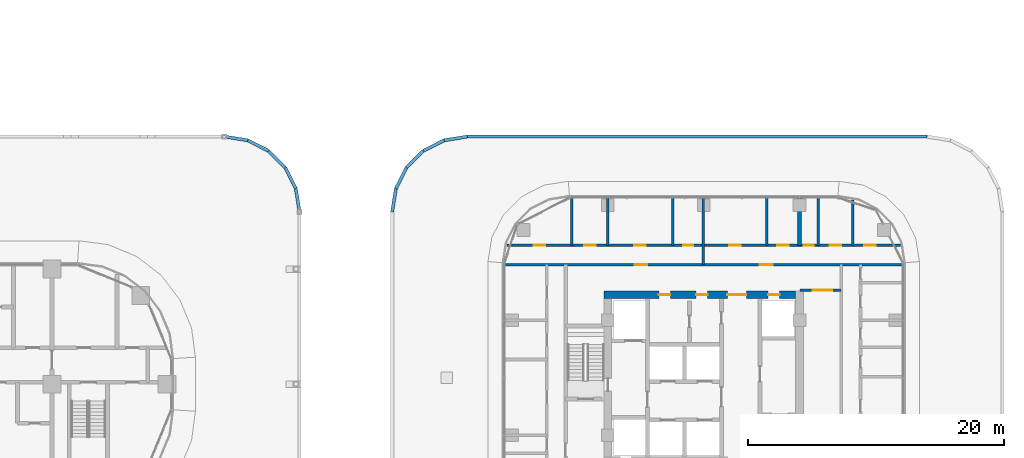
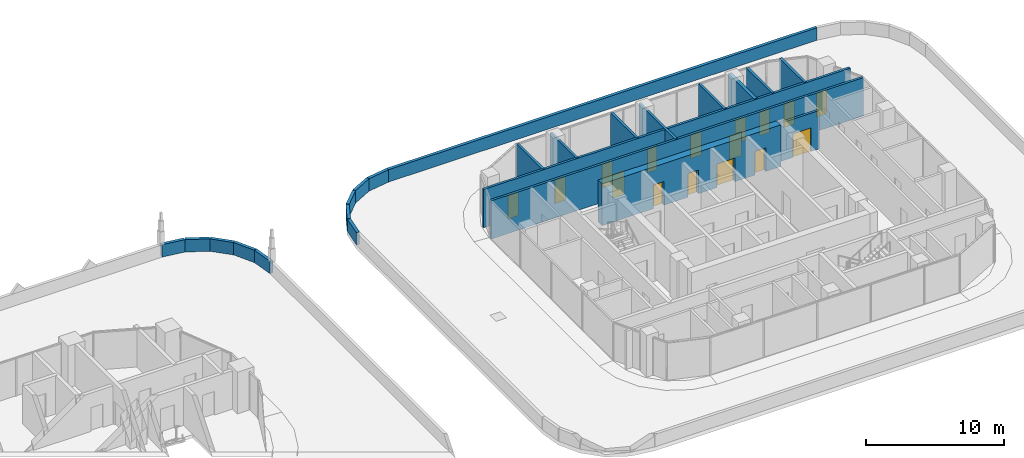
# One storey, part 31 of 51: 23 walls, 16 doors, 16 openings.
"""IFC4 building model written with IfcOpenShell, lengths in metres."""

import ifcopenshell
import ifcopenshell.guid

model = None  # the IFC model being written
_history = None  # IfcOwnerHistory: only IFC2X3 demands one
_inside = {}  # id of a spatial element -> (the spatial element, [elements in it])
_under = {}  # id of a project, library or spatial element -> (it, [spatial elements below it])
_declared = {}  # id of a project -> (the project, [libraries it declares])
_typed = {}  # id of a type object -> (the type object, [elements of that type])
_made_of = {}  # id of a material, layer set ... -> (it, [elements and type objects made of it])


def new_model(schema):
    """Start an empty IFC model of exactly this schema.

    Asked for "IFC4X3", IfcOpenShell would pick the latest addendum, in which some entities
    have other attributes; the version numbers below select the first issue.
    IFC2X3 requires an IfcOwnerHistory on every rooted entity: one is made here for all.
    """
    global model, _history
    if schema == "IFC4X3":
        model = ifcopenshell.file(schema_version=(4, 3, 0, 0))
    else:
        model = ifcopenshell.file(schema=schema)
    _inside.clear()
    _under.clear()
    _declared.clear()
    _typed.clear()
    _made_of.clear()
    _history = None
    if model.schema == "IFC2X3":
        org = make("IfcOrganization", Name="unknown")
        user = make(
            "IfcPersonAndOrganization",
            ThePerson=make("IfcPerson", FamilyName="unknown"),
            TheOrganization=org,
        )
        app = make(
            "IfcApplication",
            ApplicationDeveloper=org,
            Version="unknown",
            ApplicationFullName="unknown",
            ApplicationIdentifier="unknown",
        )
        _history = make(
            "IfcOwnerHistory",
            OwningUser=user,
            OwningApplication=app,
            ChangeAction="ADDED",
            CreationDate=0,
        )
    return model


def make(cls, **values):
    """One entity of the class cls with the attributes given. An attribute that is None is left unset."""
    return model.create_entity(
        cls, **{name: value for name, value in values.items() if value is not None}
    )


def rooted(cls, **values):
    """An entity with a GlobalId (a new one), such as an element, a storey or a relation."""
    return make(cls, GlobalId=ifcopenshell.guid.new(), OwnerHistory=_history, **values)


def si_unit(unit_type, name, prefix=None):
    """IfcSIUnit, for example si_unit("LENGTHUNIT", "METRE", prefix="MILLI")."""
    return make("IfcSIUnit", UnitType=unit_type, Prefix=prefix, Name=name)


def assignment(units):
    """IfcUnitAssignment: the units of a project."""
    return None if units is None else make("IfcUnitAssignment", Units=units)


def point(xyz):
    """IfcCartesianPoint."""
    return None if xyz is None else make("IfcCartesianPoint", Coordinates=xyz)


def direction(xyz):
    """IfcDirection."""
    return None if xyz is None else make("IfcDirection", DirectionRatios=xyz)


def frame(location, z_axis=None, x_axis=None):
    """IfcAxis2Placement3D, a coordinate frame: its origin and axes. An axis left out is left unset."""
    return make(
        "IfcAxis2Placement3D",
        Location=point(location),
        Axis=direction(z_axis),
        RefDirection=direction(x_axis),
    )


def frame_2d(location, x_axis=None):
    """IfcAxis2Placement2D, a coordinate frame in the plane: its origin and x axis."""
    return make(
        "IfcAxis2Placement2D", Location=point(location), RefDirection=direction(x_axis)
    )


def origin():
    """The frame at (0, 0, 0) with its axes left unset."""
    return frame((0.0, 0.0, 0.0))


def place(relative_to, where):
    """IfcLocalPlacement: puts the frame where relative to a parent placement (None: the world)."""
    return make(
        "IfcLocalPlacement", PlacementRelTo=relative_to, RelativePlacement=where
    )


def context(
    kind, dimensions, precision=None, world=None, true_north=None, identifier=None
):
    """IfcGeometricRepresentationContext, for example the 3D "Model" context."""
    return make(
        "IfcGeometricRepresentationContext",
        ContextIdentifier=identifier,
        ContextType=kind,
        CoordinateSpaceDimension=dimensions,
        Precision=precision,
        WorldCoordinateSystem=world,
        TrueNorth=true_north,
    )


def subcontext(parent, identifier, kind, view, scale=None):
    """IfcGeometricRepresentationSubContext, for example "Body" below "Model"."""
    return make(
        "IfcGeometricRepresentationSubContext",
        ContextIdentifier=identifier,
        ContextType=kind,
        ParentContext=parent,
        TargetScale=scale,
        TargetView=view,
    )


def project(units=None, contexts=None):
    """IfcProject with its units and contexts."""
    return rooted(
        "IfcProject",
        Name="project",
        RepresentationContexts=contexts,
        UnitsInContext=assignment(units),
    )


def spatial(cls, under=None, at=None, **own):
    """A site, building, storey or space (cls), placed at a placement, below another one or the project."""
    s = rooted(cls, ObjectPlacement=at, **own)
    if under is not None:
        _under.setdefault(under.id(), (under, []))[1].append(s)
    return s


def profile(cls, at=None, kind="AREA", **sizes):
    """A parametric profile (cls). Its sizes go by their IFC names, for example OverallWidth=200.0."""
    return make(cls, ProfileType=kind, Position=at, **sizes)


def rectangle(**sizes):
    """IfcRectangleProfileDef."""
    return profile("IfcRectangleProfileDef", **sizes)


def extrude(swept, where, along, depth):
    """IfcExtrudedAreaSolid: the profile swept, set in the frame where, extruded along a direction by depth."""
    return make(
        "IfcExtrudedAreaSolid",
        SweptArea=swept,
        Position=where,
        ExtrudedDirection=direction(along),
        Depth=depth,
    )


def shape(context_of_items, identifier, shape_type, items):
    """IfcShapeRepresentation: the items that make up one representation, for example the "Body"."""
    return make(
        "IfcShapeRepresentation",
        ContextOfItems=context_of_items,
        RepresentationIdentifier=identifier,
        RepresentationType=shape_type,
        Items=items,
    )


def material(Name=None, Category=None):
    """IfcMaterial."""
    return make("IfcMaterial", Name=Name, Category=Category)


def layer(
    of_material, thickness, ventilated=None, Name=None, Category=None, Priority=None
):
    """IfcMaterialLayer: one layer of a wall or slab, of a material (None: an air gap)."""
    return make(
        "IfcMaterialLayer",
        Material=of_material,
        LayerThickness=thickness,
        IsVentilated=ventilated,
        Name=Name,
        Category=Category,
        Priority=Priority,
    )


def layer_set(layers, Name=None):
    """IfcMaterialLayerSet."""
    return make("IfcMaterialLayerSet", MaterialLayers=layers, LayerSetName=Name)


def made_of(thing, what):
    """Note that an element or type object is made of a material, layer set ...; save() writes the relation."""
    if what is not None:
        _made_of.setdefault(what.id(), (what, []))[1].append(thing)
    return thing


def type_object(cls, material=None, **own):
    """A type object (cls), such as IfcWallType, which elements share."""
    return made_of(rooted(cls, **own), material)


def element(
    cls,
    number,
    at=None,
    inside=None,
    cuts=None,
    type_object=None,
    material=None,
    context=None,
    identifier="Body",
    shape_type=None,
    held_by="IfcProductDefinitionShape",
    body=None,
    shapes=None,
    **own,
):
    """One element of the class cls, such as IfcWall. Its Tag is "e" and its number.

    at: its placement. inside: the storey or other place that contains it. cuts: it is an
    opening in that element (IfcRelVoidsElement). A single representation is given by context,
    identifier, shape_type and body (its items); several are given by shapes. held_by: the class
    of the entity that holds the representations. save() writes the other relations.
    """
    e = rooted(cls, Tag="e%d" % number, ObjectPlacement=at, **own)
    if body is not None:
        shapes = [shape(context, identifier, shape_type, body)]
    if shapes is not None:
        e.Representation = make(held_by, Representations=shapes)
    if inside is not None:
        _inside.setdefault(inside.id(), (inside, []))[1].append(e)
    if cuts is not None:
        rooted(
            "IfcRelVoidsElement", RelatingBuildingElement=cuts, RelatedOpeningElement=e
        )
    if type_object is not None:
        _typed.setdefault(type_object.id(), (type_object, []))[1].append(e)
    return made_of(e, material)


def fill(opening, filler):
    """IfcRelFillsElement: the door or window that sits in an opening."""
    return rooted(
        "IfcRelFillsElement",
        RelatingOpeningElement=opening,
        RelatedBuildingElement=filler,
    )


def aggregate(whole, parts):
    """IfcRelAggregates: a whole, such as a stair, and the parts it consists of."""
    return rooted("IfcRelAggregates", RelatingObject=whole, RelatedObjects=parts)


def save(model, path):
    """Write the relations noted so far, then the file.

    IfcRelAggregates (storeys below a building ...), IfcRelContainedInSpatialStructure (elements
    in a storey), IfcRelDefinesByType, IfcRelAssociatesMaterial and IfcRelDeclares: one each for
    every whole, place, type object, material and project.
    """
    for whole, parts in _under.values():
        aggregate(whole, parts)
    for where, things in _inside.values():
        rooted(
            "IfcRelContainedInSpatialStructure",
            RelatedElements=things,
            RelatingStructure=where,
        )
    for kind, things in _typed.values():
        rooted("IfcRelDefinesByType", RelatedObjects=things, RelatingType=kind)
    for what, things in _made_of.values():
        rooted("IfcRelAssociatesMaterial", RelatedObjects=things, RelatingMaterial=what)
    for by, libraries in _declared.values():
        rooted("IfcRelDeclares", RelatingContext=by, RelatedDefinitions=libraries)
    model.write(path)


model = new_model("IFC4")

# Units and contexts
model_context = context("Model", 3, precision=1e-05, world=origin(), true_north=direction((0.0, 1.0)))
body_context = subcontext(model_context, "Body", "Model", "MODEL_VIEW")
ifc_project = project(units=[si_unit("LENGTHUNIT", "METRE"), si_unit("AREAUNIT", "SQUARE_METRE"), si_unit("VOLUMEUNIT", "CUBIC_METRE"), si_unit("PLANEANGLEUNIT", "RADIAN"), si_unit("MASSUNIT", "GRAM", prefix="KILO")], contexts=[model_context])

# Site, building, storey
site_placement = place(None, origin())
site = spatial("IfcSite", under=ifc_project, at=site_placement, CompositionType="ELEMENT")
building_placement = place(site_placement, origin())
building = spatial("IfcBuilding", under=site, at=building_placement, Name="Ogive Portal Towers", CompositionType="ELEMENT")
storey_placement = place(building_placement, frame((0.0, 0.0, 33.5)))
storey = spatial("IfcBuildingStorey", under=building, at=storey_placement, Name="L06", CompositionType="ELEMENT", Elevation=33.5)

# Wall, openings, doors
ifc_material_1 = material(Name="Concrete C60/75", Category="concrete")
ifc_layer_1 = layer(ifc_material_1, 0.60009765625)
ifc_layer_set_1 = layer_set([ifc_layer_1], Name="CORE WALL 600 C60")
wall_type_1 = type_object("IfcWallType", Name="CORE WALL 600 C60", PredefinedType="SHEAR", material=ifc_layer_set_1)
wall_1_placement = place(storey_placement, frame((128.699951171875, 37.5, 0.0), z_axis=(0.0, 0.0, 1.0), x_axis=(1.0, 0.0, 0.0)))
wall_1 = element("IfcWall", 1, at=wall_1_placement, inside=storey, type_object=wall_type_1, Name="Tower B core wall BN L06", PredefinedType="SHEAR", context=body_context, shape_type="SweptSolid", body=[
    extrude(rectangle(XDim=15.0, YDim=0.60009765625, at=frame_2d((7.5, 0.0))), origin(), (0.0, 0.0, 1.0), 3.699951171875),
])
opening_1_placement = place(wall_1_placement, frame((9.64990234375, 0.0, 0.0)))
opening_1 = element("IfcOpeningElement", 2, at=opening_1_placement, cuts=wall_1, Name="Opening B01-048", PredefinedType="OPENING", context=body_context, shape_type="SweptSolid", body=[
    extrude(rectangle(XDim=1.5, YDim=2.10009765625, at=frame_2d((0.75, 1.050048828125))), frame((0.0, 0.31005859375, 0.0), z_axis=(0.0, -1.0, 0.0), x_axis=(1.0, 0.0, 0.0)), (0.0, 0.0, 1.0), 0.6201171875),
])
opening_2_placement = place(wall_1_placement, frame((12.85009765625, 0.0, 0.0)))
opening_2 = element("IfcOpeningElement", 3, at=opening_2_placement, cuts=wall_1, Name="Opening B01-050", PredefinedType="OPENING", context=body_context, shape_type="SweptSolid", body=[
    extrude(rectangle(XDim=0.89990234375, YDim=2.10009765625, at=frame_2d((0.449951171875, 1.050048828125))), frame((0.0, 0.31005859375, 0.0), z_axis=(0.0, -1.0, 0.0), x_axis=(1.0, 0.0, 0.0)), (0.0, 0.0, 1.0), 0.6201171875),
])
opening_3_placement = place(wall_1_placement, frame((4.300048828125, 0.0, 0.0)))
opening_3 = element("IfcOpeningElement", 4, at=opening_3_placement, cuts=wall_1, Name="Opening B01-057", PredefinedType="OPENING", context=body_context, shape_type="SweptSolid", body=[
    extrude(rectangle(XDim=0.89990234375, YDim=2.10009765625, at=frame_2d((0.449951171875, 1.050048828125))), frame((0.0, 0.31005859375, 0.0), z_axis=(0.0, -1.0, 0.0), x_axis=(1.0, 0.0, 0.0)), (0.0, 0.0, 1.0), 0.6201171875),
])
opening_4_placement = place(wall_1_placement, frame((7.199951171875, 0.0, 0.0)))
opening_4 = element("IfcOpeningElement", 5, at=opening_4_placement, cuts=wall_1, Name="Opening B01-058", PredefinedType="OPENING", context=body_context, shape_type="SweptSolid", body=[
    extrude(rectangle(XDim=0.89990234375, YDim=2.10009765625, at=frame_2d((0.449951171875, 1.050048828125))), frame((0.0, 0.31005859375, 0.0), z_axis=(0.0, -1.0, 0.0), x_axis=(1.0, 0.0, 0.0)), (0.0, 0.0, 1.0), 0.6201171875),
])
ifc_material_2 = material(Name="Steel fire door", Category="steel")
door_type_1 = type_object("IfcDoorType", Name="DT-SWING-1500x2100-FD90S", OperationType="SINGLE_SWING_LEFT", PredefinedType="DOOR", material=ifc_material_2)
door_1_placement = place(opening_1_placement, origin())
door_1 = element("IfcDoor", 6, at=door_1_placement, inside=storey, type_object=door_type_1, Name="Door B01-048", OperationType="SINGLE_SWING_RIGHT", OverallHeight=2.10009765625, OverallWidth=1.5, PredefinedType="DOOR", context=body_context, shape_type="SweptSolid", body=[
    extrude(rectangle(XDim=1.5, YDim=2.10009765625, at=frame_2d((0.75, 1.050048828125))), frame((0.0, 0.02490234375, 0.0), z_axis=(0.0, -1.0, 0.0), x_axis=(1.0, 0.0, 0.0)), (0.0, 0.0, 1.0), 0.050048828125),
])
fill(opening_1, door_1)
door_type_2 = type_object("IfcDoorType", Name="DT-SWING-900x2100-FD90S", OperationType="SINGLE_SWING_LEFT", PredefinedType="DOOR", material=ifc_material_2)
door_2_placement = place(opening_2_placement, origin())
door_2 = element("IfcDoor", 7, at=door_2_placement, inside=storey, type_object=door_type_2, Name="Riser access door B01-050", OperationType="SINGLE_SWING_RIGHT", OverallHeight=2.10009765625, OverallWidth=0.89990234375, PredefinedType="DOOR", context=body_context, shape_type="SweptSolid", body=[
    extrude(rectangle(XDim=0.89990234375, YDim=2.10009765625, at=frame_2d((0.449951171875, 1.050048828125))), frame((0.0, 0.02490234375, 0.0), z_axis=(0.0, -1.0, 0.0), x_axis=(1.0, 0.0, 0.0)), (0.0, 0.0, 1.0), 0.050048828125),
])
fill(opening_2, door_2)
door_3_placement = place(opening_3_placement, origin())
door_3 = element("IfcDoor", 8, at=door_3_placement, inside=storey, type_object=door_type_2, Name="Door B01-057", OperationType="SINGLE_SWING_LEFT", OverallHeight=2.10009765625, OverallWidth=0.89990234375, PredefinedType="DOOR", context=body_context, shape_type="SweptSolid", body=[
    extrude(rectangle(XDim=0.89990234375, YDim=2.10009765625, at=frame_2d((0.449951171875, 1.050048828125))), frame((0.0, 0.02490234375, 0.0), z_axis=(0.0, -1.0, 0.0), x_axis=(1.0, 0.0, 0.0)), (0.0, 0.0, 1.0), 0.050048828125),
])
fill(opening_3, door_3)
door_4_placement = place(opening_4_placement, origin())
door_4 = element("IfcDoor", 9, at=door_4_placement, inside=storey, type_object=door_type_2, Name="Door B01-058", OperationType="SINGLE_SWING_RIGHT", OverallHeight=2.10009765625, OverallWidth=0.89990234375, PredefinedType="DOOR", context=body_context, shape_type="SweptSolid", body=[
    extrude(rectangle(XDim=0.89990234375, YDim=2.10009765625, at=frame_2d((0.449951171875, 1.050048828125))), frame((0.0, 0.02490234375, 0.0), z_axis=(0.0, -1.0, 0.0), x_axis=(1.0, 0.0, 0.0)), (0.0, 0.0, 1.0), 0.050048828125),
])
fill(opening_4, door_4)

# Walls
ifc_material_3 = material(Name="Limestone cladding on lightweight block wall", Category="masonry")
ifc_layer_2 = layer(ifc_material_3, 0.25)
ifc_layer_set_2 = layer_set([ifc_layer_2], Name="PARAPET 250 STONE")
wall_type_2 = type_object("IfcWallType", Name="PARAPET 250 STONE", PredefinedType="PARAPET", material=ifc_layer_set_2)
wall_2_placement = place(storey_placement, frame((104.87353515625, 44.0, 0.0), z_axis=(0.0, 0.0, 1.0), x_axis=(-0.156466017699, 0.987683342628, 0.0)))
element("IfcWall", 10, at=wall_2_placement, inside=storey, type_object=wall_type_2, Name="A:L06:proof0:para13", PredefinedType="PARAPET", context=body_context, shape_type="SweptSolid", body=[
    extrude(rectangle(XDim=1.81787109375, YDim=0.25, at=frame_2d((0.908935546875, 0.0))), origin(), (0.0, 0.0, 1.0), 1.10009765625),
])
wall_3_placement = place(storey_placement, frame((104.576904296875, 45.83251953125, 0.0), z_axis=(0.0, 0.0, 1.0), x_axis=(-0.453935951982, 0.891034315556, 0.0)))
element("IfcWall", 11, at=wall_3_placement, inside=storey, type_object=wall_type_2, Name="A:L06:proof0:para14", PredefinedType="PARAPET", context=body_context, shape_type="SweptSolid", body=[
    extrude(rectangle(XDim=1.7978515625, YDim=0.25, at=frame_2d((0.89892578125, 0.0))), origin(), (0.0, 0.0, 1.0), 1.10009765625),
])
wall_4_placement = place(storey_placement, frame((103.73779296875, 47.46630859375, 0.0), z_axis=(0.0, 0.0, 1.0), x_axis=(-0.707106781187, 0.707106781187, 0.0)))
element("IfcWall", 12, at=wall_4_placement, inside=storey, type_object=wall_type_2, Name="A:L06:proof0:para15", PredefinedType="PARAPET", context=body_context, shape_type="SweptSolid", body=[
    extrude(rectangle(XDim=1.798095703125, YDim=0.25, at=frame_2d((0.89892578125, 0.0))), origin(), (0.0, 0.0, 1.0), 1.10009765625),
])
wall_5_placement = place(storey_placement, frame((102.4345703125, 48.7607421875, 0.0), z_axis=(0.0, 0.0, 1.0), x_axis=(-0.891034315556, 0.453935951982, 0.0)))
element("IfcWall", 13, at=wall_5_placement, inside=storey, type_object=wall_type_2, Name="A:L06:proof0:para16", PredefinedType="PARAPET", context=body_context, shape_type="SweptSolid", body=[
    extrude(rectangle(XDim=1.7978515625, YDim=0.25, at=frame_2d((0.89892578125, 0.0))), origin(), (0.0, 0.0, 1.0), 1.10009765625),
])
wall_6_placement = place(storey_placement, frame((100.79541015625, 49.589111328125, 0.0), z_axis=(0.0, 0.0, 1.0), x_axis=(-0.987683342628, 0.156466017699, 0.0)))
element("IfcWall", 14, at=wall_6_placement, inside=storey, type_object=wall_type_2, Name="A:L06:proof0:para17", PredefinedType="PARAPET", context=body_context, shape_type="SweptSolid", body=[
    extrude(rectangle(XDim=1.81787109375, YDim=0.25, at=frame_2d((0.908935546875, 0.0))), origin(), (0.0, 0.0, 1.0), 1.10009765625),
])
wall_7_placement = place(storey_placement, frame((153.980224609375, 49.875, 0.0), z_axis=(0.0, 0.0, 1.0), x_axis=(-1.0, 0.0, 0.0)))
element("IfcWall", 15, at=wall_7_placement, inside=storey, type_object=wall_type_2, Name="B:L06:proof0:para18", PredefinedType="PARAPET", context=body_context, shape_type="SweptSolid", body=[
    extrude(rectangle(XDim=35.96044921875, YDim=0.25, at=frame_2d((17.980224609375, 0.0))), origin(), (0.0, 0.0, 1.0), 1.10009765625),
])
wall_8_placement = place(storey_placement, frame((118.0, 49.87353515625, 0.0), z_axis=(0.0, 0.0, 1.0), x_axis=(-0.987683342628, -0.156466017699, 0.0)))
element("IfcWall", 16, at=wall_8_placement, inside=storey, type_object=wall_type_2, Name="B:L06:proof0:para19", PredefinedType="PARAPET", context=body_context, shape_type="SweptSolid", body=[
    extrude(rectangle(XDim=1.81787109375, YDim=0.25, at=frame_2d((0.908935546875, 0.0))), origin(), (0.0, 0.0, 1.0), 1.10009765625),
])
wall_9_placement = place(storey_placement, frame((116.16748046875, 49.576904296875, 0.0), z_axis=(0.0, 0.0, 1.0), x_axis=(-0.891034315556, -0.453935951982, 0.0)))
element("IfcWall", 17, at=wall_9_placement, inside=storey, type_object=wall_type_2, Name="B:L06:proof0:para20", PredefinedType="PARAPET", context=body_context, shape_type="SweptSolid", body=[
    extrude(rectangle(XDim=1.7978515625, YDim=0.25, at=frame_2d((0.89892578125, 0.0))), origin(), (0.0, 0.0, 1.0), 1.10009765625),
])
wall_10_placement = place(storey_placement, frame((114.53369140625, 48.73779296875, 0.0), z_axis=(0.0, 0.0, 1.0), x_axis=(-0.707106781187, -0.707106781187, 0.0)))
element("IfcWall", 18, at=wall_10_placement, inside=storey, type_object=wall_type_2, Name="B:L06:proof0:para21", PredefinedType="PARAPET", context=body_context, shape_type="SweptSolid", body=[
    extrude(rectangle(XDim=1.798095703125, YDim=0.25, at=frame_2d((0.89892578125, 0.0))), origin(), (0.0, 0.0, 1.0), 1.10009765625),
])
wall_11_placement = place(storey_placement, frame((113.2392578125, 47.4345703125, 0.0), z_axis=(0.0, 0.0, 1.0), x_axis=(-0.453935951982, -0.891034315556, 0.0)))
element("IfcWall", 19, at=wall_11_placement, inside=storey, type_object=wall_type_2, Name="B:L06:proof0:para22", PredefinedType="PARAPET", context=body_context, shape_type="SweptSolid", body=[
    extrude(rectangle(XDim=1.7978515625, YDim=0.25, at=frame_2d((0.89892578125, 0.0))), origin(), (0.0, 0.0, 1.0), 1.10009765625),
])
wall_12_placement = place(storey_placement, frame((112.410888671875, 45.79541015625, 0.0), z_axis=(0.0, 0.0, 1.0), x_axis=(-0.156466017699, -0.987683342628, 0.0)))
element("IfcWall", 20, at=wall_12_placement, inside=storey, type_object=wall_type_2, Name="B:L06:proof0:para23", PredefinedType="PARAPET", context=body_context, shape_type="SweptSolid", body=[
    extrude(rectangle(XDim=1.81787109375, YDim=0.25, at=frame_2d((0.908935546875, 0.0))), origin(), (0.0, 0.0, 1.0), 1.10009765625),
])

# Wall, opening, door
ifc_material_4 = material(Name="Gypsum board partition on steel studs", Category="steel")
ifc_layer_3 = layer(ifc_material_4, 0.199951171875)
ifc_layer_set_3 = layer_set([ifc_layer_3], Name="WT-PART-200-EI 60")
wall_type_3 = type_object("IfcWallType", Name="WT-PART-200-EI 60", PredefinedType="PARTITIONING", material=ifc_layer_set_3)
wall_13_placement = place(storey_placement, frame((144.02001953125, 37.85009765625, 0.0), z_axis=(0.0, 0.0, 1.0), x_axis=(1.0, 0.0, 0.0)))
wall_13 = element("IfcWall", 21, at=wall_13_placement, inside=storey, type_object=wall_type_3, Name="Wall L06:w018", PredefinedType="PARTITIONING", context=body_context, shape_type="SweptSolid", body=[
    extrude(rectangle(XDim=3.22998046875, YDim=0.199951171875, at=frame_2d((1.614990234375, 0.0))), origin(), (0.0, 0.0, 1.0), 3.39990234375),
])
opening_5_placement = place(wall_13_placement, frame((1.030029296875, 0.0, 0.0)))
opening_5 = element("IfcOpeningElement", 22, at=opening_5_placement, cuts=wall_13, Name="Opening B01-001", PredefinedType="OPENING", context=body_context, shape_type="SweptSolid", body=[
    extrude(rectangle(XDim=1.5, YDim=2.10009765625, at=frame_2d((0.75, 1.050048828125))), frame((0.0, 0.10986328125, 0.0), z_axis=(0.0, -1.0, 0.0), x_axis=(1.0, 0.0, 0.0)), (0.0, 0.0, 1.0), 0.219970703125),
])
door_type_3 = type_object("IfcDoorType", Name="DT-SWING-1500x2100-FD60S", OperationType="SINGLE_SWING_LEFT", PredefinedType="DOOR", material=ifc_material_2)
door_5_placement = place(opening_5_placement, origin())
door_5 = element("IfcDoor", 23, at=door_5_placement, inside=storey, type_object=door_type_3, Name="Door B01-001", OperationType="SINGLE_SWING_LEFT", OverallHeight=2.10009765625, OverallWidth=1.5, PredefinedType="DOOR", context=body_context, shape_type="SweptSolid", body=[
    extrude(rectangle(XDim=1.5, YDim=2.10009765625, at=frame_2d((0.75, 1.050048828125))), frame((0.0, 0.02490234375, 0.0), z_axis=(0.0, -1.0, 0.0), x_axis=(1.0, 0.0, 0.0)), (0.0, 0.0, 1.0), 0.050048828125),
])
fill(opening_5, door_5)

# Wall, openings, doors
wall_14_placement = place(storey_placement, frame((120.889892578125, 39.85009765625, 0.0), z_axis=(0.0, 0.0, 1.0), x_axis=(1.0, 0.0, 0.0)))
wall_14 = element("IfcWall", 24, at=wall_14_placement, inside=storey, type_object=wall_type_3, Name="Wall L06:w020", PredefinedType="PARTITIONING", context=body_context, shape_type="SweptSolid", body=[
    extrude(rectangle(XDim=31.22021484375, YDim=0.199951171875, at=frame_2d((15.610107421875, 0.0))), origin(), (0.0, 0.0, 1.0), 3.39990234375),
])
opening_6_placement = place(wall_14_placement, frame((10.2099609375, 0.0, 0.0)))
opening_6 = element("IfcOpeningElement", 25, at=opening_6_placement, cuts=wall_14, Name="Opening B01-005", PredefinedType="OPENING", context=body_context, shape_type="SweptSolid", body=[
    extrude(rectangle(XDim=1.0, YDim=2.10009765625, at=frame_2d((0.5, 1.050048828125))), frame((0.0, 0.10986328125, 0.0), z_axis=(0.0, -1.0, 0.0), x_axis=(1.0, 0.0, 0.0)), (0.0, 0.0, 1.0), 0.219970703125),
])
opening_7_placement = place(wall_14_placement, frame((20.010009765625, 0.0, 0.0)))
opening_7 = element("IfcOpeningElement", 26, at=opening_7_placement, cuts=wall_14, Name="Opening B01-010", PredefinedType="OPENING", context=body_context, shape_type="SweptSolid", body=[
    extrude(rectangle(XDim=1.0, YDim=2.10009765625, at=frame_2d((0.5, 1.050048828125))), frame((0.0, 0.10986328125, 0.0), z_axis=(0.0, -1.0, 0.0), x_axis=(1.0, 0.0, 0.0)), (0.0, 0.0, 1.0), 0.219970703125),
])
door_type_4 = type_object("IfcDoorType", Name="DT-SWING-1000x2100-FD60S", OperationType="SINGLE_SWING_LEFT", PredefinedType="DOOR", material=ifc_material_2)
door_6_placement = place(opening_6_placement, origin())
door_6 = element("IfcDoor", 27, at=door_6_placement, inside=storey, type_object=door_type_4, Name="Door B01-005", OperationType="SINGLE_SWING_LEFT", OverallHeight=2.10009765625, OverallWidth=1.0, PredefinedType="DOOR", context=body_context, shape_type="SweptSolid", body=[
    extrude(rectangle(XDim=1.0, YDim=2.10009765625, at=frame_2d((0.5, 1.050048828125))), frame((0.0, 0.02490234375, 0.0), z_axis=(0.0, -1.0, 0.0), x_axis=(1.0, 0.0, 0.0)), (0.0, 0.0, 1.0), 0.050048828125),
])
fill(opening_6, door_6)
door_7_placement = place(opening_7_placement, origin())
door_7 = element("IfcDoor", 28, at=door_7_placement, inside=storey, type_object=door_type_4, Name="Door B01-010", OperationType="SINGLE_SWING_RIGHT", OverallHeight=2.10009765625, OverallWidth=1.0, PredefinedType="DOOR", context=body_context, shape_type="SweptSolid", body=[
    extrude(rectangle(XDim=1.0, YDim=2.10009765625, at=frame_2d((0.5, 1.050048828125))), frame((0.0, 0.02490234375, 0.0), z_axis=(0.0, -1.0, 0.0), x_axis=(1.0, 0.0, 0.0)), (0.0, 0.0, 1.0), 0.050048828125),
])
fill(opening_7, door_7)

wall_15_placement = place(storey_placement, frame((121.10791015625, 41.3701171875, 0.0), z_axis=(0.0, 0.0, 1.0), x_axis=(1.0, 0.0, 0.0)))
wall_15 = element("IfcWall", 29, at=wall_15_placement, inside=storey, type_object=wall_type_3, Name="Wall L06:w021", PredefinedType="PARTITIONING", context=body_context, shape_type="SweptSolid", body=[
    extrude(rectangle(XDim=30.7841796875, YDim=0.199951171875, at=frame_2d((15.39208984375, 0.0))), origin(), (0.0, 0.0, 1.0), 3.39990234375),
])
opening_8_placement = place(wall_15_placement, frame((2.0810546875, 0.0, 0.0)))
opening_8 = element("IfcOpeningElement", 30, at=opening_8_placement, cuts=wall_15, Name="Opening B01-006", PredefinedType="OPENING", context=body_context, shape_type="SweptSolid", body=[
    extrude(rectangle(XDim=0.89990234375, YDim=2.10009765625, at=frame_2d((0.449951171875, 1.050048828125))), frame((0.0, 0.10986328125, 0.0), z_axis=(0.0, -1.0, 0.0), x_axis=(1.0, 0.0, 0.0)), (0.0, 0.0, 1.0), 0.219970703125),
])
opening_9_placement = place(wall_15_placement, frame((6.029052734375, 0.0, 0.0)))
opening_9 = element("IfcOpeningElement", 31, at=opening_9_placement, cuts=wall_15, Name="Opening B01-007", PredefinedType="OPENING", context=body_context, shape_type="SweptSolid", body=[
    extrude(rectangle(XDim=0.89990234375, YDim=2.10009765625, at=frame_2d((0.449951171875, 1.050048828125))), frame((0.0, 0.10986328125, 0.0), z_axis=(0.0, -1.0, 0.0), x_axis=(1.0, 0.0, 0.0)), (0.0, 0.0, 1.0), 0.219970703125),
])
opening_10_placement = place(wall_15_placement, frame((9.97607421875, 0.0, 0.0)))
opening_10 = element("IfcOpeningElement", 32, at=opening_10_placement, cuts=wall_15, Name="Opening B01-008", PredefinedType="OPENING", context=body_context, shape_type="SweptSolid", body=[
    extrude(rectangle(XDim=0.89990234375, YDim=2.10009765625, at=frame_2d((0.449951171875, 1.050048828125))), frame((0.0, 0.10986328125, 0.0), z_axis=(0.0, -1.0, 0.0), x_axis=(1.0, 0.0, 0.0)), (0.0, 0.0, 1.0), 0.219970703125),
])
opening_11_placement = place(wall_15_placement, frame((13.77587890625, 0.0, 0.0)))
opening_11 = element("IfcOpeningElement", 33, at=opening_11_placement, cuts=wall_15, Name="Opening B01-009", PredefinedType="OPENING", context=body_context, shape_type="SweptSolid", body=[
    extrude(rectangle(XDim=0.800048828125, YDim=2.10009765625, at=frame_2d((0.39990234375, 1.050048828125))), frame((0.0, 0.10986328125, 0.0), z_axis=(0.0, -1.0, 0.0), x_axis=(1.0, 0.0, 0.0)), (0.0, 0.0, 1.0), 0.219970703125),
])
opening_12_placement = place(wall_15_placement, frame((17.408935546875, 0.0, 0.0)))
opening_12 = element("IfcOpeningElement", 34, at=opening_12_placement, cuts=wall_15, Name="Opening B01-011", PredefinedType="OPENING", context=body_context, shape_type="SweptSolid", body=[
    extrude(rectangle(XDim=0.89990234375, YDim=2.10009765625, at=frame_2d((0.449951171875, 1.050048828125))), frame((0.0, 0.10986328125, 0.0), z_axis=(0.0, -1.0, 0.0), x_axis=(1.0, 0.0, 0.0)), (0.0, 0.0, 1.0), 0.219970703125),
])
opening_13_placement = place(wall_15_placement, frame((21.158935546875, 0.0, 0.0)))
opening_13 = element("IfcOpeningElement", 35, at=opening_13_placement, cuts=wall_15, Name="Opening B01-012", PredefinedType="OPENING", context=body_context, shape_type="SweptSolid", body=[
    extrude(rectangle(XDim=0.89990234375, YDim=2.10009765625, at=frame_2d((0.449951171875, 1.050048828125))), frame((0.0, 0.10986328125, 0.0), z_axis=(0.0, -1.0, 0.0), x_axis=(1.0, 0.0, 0.0)), (0.0, 0.0, 1.0), 0.219970703125),
])
opening_14_placement = place(wall_15_placement, frame((23.218994140625, 0.0, 0.0)))
opening_14 = element("IfcOpeningElement", 36, at=opening_14_placement, cuts=wall_15, Name="Opening B01-013", PredefinedType="OPENING", context=body_context, shape_type="SweptSolid", body=[
    extrude(rectangle(XDim=0.800048828125, YDim=2.10009765625, at=frame_2d((0.39990234375, 1.050048828125))), frame((0.0, 0.10986328125, 0.0), z_axis=(0.0, -1.0, 0.0), x_axis=(1.0, 0.0, 0.0)), (0.0, 0.0, 1.0), 0.219970703125),
])
opening_15_placement = place(wall_15_placement, frame((25.25, 0.0, 0.0)))
opening_15 = element("IfcOpeningElement", 37, at=opening_15_placement, cuts=wall_15, Name="Opening B01-014", PredefinedType="OPENING", context=body_context, shape_type="SweptSolid", body=[
    extrude(rectangle(XDim=0.89990234375, YDim=2.10009765625, at=frame_2d((0.449951171875, 1.050048828125))), frame((0.0, 0.10986328125, 0.0), z_axis=(0.0, -1.0, 0.0), x_axis=(1.0, 0.0, 0.0)), (0.0, 0.0, 1.0), 0.219970703125),
])
opening_16_placement = place(wall_15_placement, frame((27.969970703125, 0.0, 0.0)))
opening_16 = element("IfcOpeningElement", 38, at=opening_16_placement, cuts=wall_15, Name="Opening B01-015", PredefinedType="OPENING", context=body_context, shape_type="SweptSolid", body=[
    extrude(rectangle(XDim=0.89990234375, YDim=2.10009765625, at=frame_2d((0.449951171875, 1.050048828125))), frame((0.0, 0.10986328125, 0.0), z_axis=(0.0, -1.0, 0.0), x_axis=(1.0, 0.0, 0.0)), (0.0, 0.0, 1.0), 0.219970703125),
])
door_type_5 = type_object("IfcDoorType", Name="DT-SWING-800x2100-FD60S", OperationType="SINGLE_SWING_LEFT", PredefinedType="DOOR", material=ifc_material_2)
door_8_placement = place(opening_11_placement, origin())
door_8 = element("IfcDoor", 39, at=door_8_placement, inside=storey, type_object=door_type_5, Name="Door B01-009", OperationType="SINGLE_SWING_LEFT", OverallHeight=2.10009765625, OverallWidth=0.800048828125, PredefinedType="DOOR", context=body_context, shape_type="SweptSolid", body=[
    extrude(rectangle(XDim=0.800048828125, YDim=2.10009765625, at=frame_2d((0.39990234375, 1.050048828125))), frame((0.0, 0.02490234375, 0.0), z_axis=(0.0, -1.0, 0.0), x_axis=(1.0, 0.0, 0.0)), (0.0, 0.0, 1.0), 0.050048828125),
])
fill(opening_11, door_8)
door_9_placement = place(opening_14_placement, origin())
door_9 = element("IfcDoor", 40, at=door_9_placement, inside=storey, type_object=door_type_5, Name="Door B01-013", OperationType="SINGLE_SWING_LEFT", OverallHeight=2.10009765625, OverallWidth=0.800048828125, PredefinedType="DOOR", context=body_context, shape_type="SweptSolid", body=[
    extrude(rectangle(XDim=0.800048828125, YDim=2.10009765625, at=frame_2d((0.39990234375, 1.050048828125))), frame((0.0, 0.02490234375, 0.0), z_axis=(0.0, -1.0, 0.0), x_axis=(1.0, 0.0, 0.0)), (0.0, 0.0, 1.0), 0.050048828125),
])
fill(opening_14, door_9)
door_type_6 = type_object("IfcDoorType", Name="DT-SWING-900x2100-FD60S", OperationType="SINGLE_SWING_LEFT", PredefinedType="DOOR", material=ifc_material_2)
door_10_placement = place(opening_8_placement, origin())
door_10 = element("IfcDoor", 41, at=door_10_placement, inside=storey, type_object=door_type_6, Name="Door B01-006", OperationType="SINGLE_SWING_RIGHT", OverallHeight=2.10009765625, OverallWidth=0.89990234375, PredefinedType="DOOR", context=body_context, shape_type="SweptSolid", body=[
    extrude(rectangle(XDim=0.89990234375, YDim=2.10009765625, at=frame_2d((0.449951171875, 1.050048828125))), frame((0.0, 0.02490234375, 0.0), z_axis=(0.0, -1.0, 0.0), x_axis=(1.0, 0.0, 0.0)), (0.0, 0.0, 1.0), 0.050048828125),
])
fill(opening_8, door_10)
door_11_placement = place(opening_9_placement, origin())
door_11 = element("IfcDoor", 42, at=door_11_placement, inside=storey, type_object=door_type_6, Name="Door B01-007", OperationType="SINGLE_SWING_LEFT", OverallHeight=2.10009765625, OverallWidth=0.89990234375, PredefinedType="DOOR", context=body_context, shape_type="SweptSolid", body=[
    extrude(rectangle(XDim=0.89990234375, YDim=2.10009765625, at=frame_2d((0.449951171875, 1.050048828125))), frame((0.0, 0.02490234375, 0.0), z_axis=(0.0, -1.0, 0.0), x_axis=(1.0, 0.0, 0.0)), (0.0, 0.0, 1.0), 0.050048828125),
])
fill(opening_9, door_11)
door_12_placement = place(opening_10_placement, origin())
door_12 = element("IfcDoor", 43, at=door_12_placement, inside=storey, type_object=door_type_6, Name="Door B01-008", OperationType="SINGLE_SWING_RIGHT", OverallHeight=2.10009765625, OverallWidth=0.89990234375, PredefinedType="DOOR", context=body_context, shape_type="SweptSolid", body=[
    extrude(rectangle(XDim=0.89990234375, YDim=2.10009765625, at=frame_2d((0.449951171875, 1.050048828125))), frame((0.0, 0.02490234375, 0.0), z_axis=(0.0, -1.0, 0.0), x_axis=(1.0, 0.0, 0.0)), (0.0, 0.0, 1.0), 0.050048828125),
])
fill(opening_10, door_12)
door_13_placement = place(opening_12_placement, origin())
door_13 = element("IfcDoor", 44, at=door_13_placement, inside=storey, type_object=door_type_6, Name="Door B01-011", OperationType="SINGLE_SWING_LEFT", OverallHeight=2.10009765625, OverallWidth=0.89990234375, PredefinedType="DOOR", context=body_context, shape_type="SweptSolid", body=[
    extrude(rectangle(XDim=0.89990234375, YDim=2.10009765625, at=frame_2d((0.449951171875, 1.050048828125))), frame((0.0, 0.02490234375, 0.0), z_axis=(0.0, -1.0, 0.0), x_axis=(1.0, 0.0, 0.0)), (0.0, 0.0, 1.0), 0.050048828125),
])
fill(opening_12, door_13)
door_14_placement = place(opening_13_placement, origin())
door_14 = element("IfcDoor", 45, at=door_14_placement, inside=storey, type_object=door_type_6, Name="Door B01-012", OperationType="SINGLE_SWING_RIGHT", OverallHeight=2.10009765625, OverallWidth=0.89990234375, PredefinedType="DOOR", context=body_context, shape_type="SweptSolid", body=[
    extrude(rectangle(XDim=0.89990234375, YDim=2.10009765625, at=frame_2d((0.449951171875, 1.050048828125))), frame((0.0, 0.02490234375, 0.0), z_axis=(0.0, -1.0, 0.0), x_axis=(1.0, 0.0, 0.0)), (0.0, 0.0, 1.0), 0.050048828125),
])
fill(opening_13, door_14)
door_15_placement = place(opening_15_placement, origin())
door_15 = element("IfcDoor", 46, at=door_15_placement, inside=storey, type_object=door_type_6, Name="Door B01-014", OperationType="SINGLE_SWING_RIGHT", OverallHeight=2.10009765625, OverallWidth=0.89990234375, PredefinedType="DOOR", context=body_context, shape_type="SweptSolid", body=[
    extrude(rectangle(XDim=0.89990234375, YDim=2.10009765625, at=frame_2d((0.449951171875, 1.050048828125))), frame((0.0, 0.02490234375, 0.0), z_axis=(0.0, -1.0, 0.0), x_axis=(1.0, 0.0, 0.0)), (0.0, 0.0, 1.0), 0.050048828125),
])
fill(opening_15, door_15)
door_16_placement = place(opening_16_placement, origin())
door_16 = element("IfcDoor", 47, at=door_16_placement, inside=storey, type_object=door_type_6, Name="Door B01-015", OperationType="SINGLE_SWING_LEFT", OverallHeight=2.10009765625, OverallWidth=0.89990234375, PredefinedType="DOOR", context=body_context, shape_type="SweptSolid", body=[
    extrude(rectangle(XDim=0.89990234375, YDim=2.10009765625, at=frame_2d((0.449951171875, 1.050048828125))), frame((0.0, 0.02490234375, 0.0), z_axis=(0.0, -1.0, 0.0), x_axis=(1.0, 0.0, 0.0)), (0.0, 0.0, 1.0), 0.050048828125),
])
fill(opening_16, door_16)

# Walls
for number, where, z_axis, x_axis, name in (
    (48, (126.173095703125, 41.3701171875, 0.0), (0.0, 0.0, 1.0), (0.0, 1.0, 0.0), "Wall L06:w024"),
    (49, (129.0, 41.3701171875, 0.0), (0.0, 0.0, 1.0), (0.0, 1.0, 0.0), "Wall L06:w030"),
    (50, (134.069091796875, 41.3701171875, 0.0), (0.0, 0.0, 1.0), (0.0, 1.0, 0.0), "Wall L06:w032"),
):
    element("IfcWall", number, at=place(storey_placement, frame(where, z_axis=z_axis, x_axis=x_axis)), inside=storey, type_object=wall_type_3, Name=name, PredefinedType="PARTITIONING", context=body_context, shape_type="SweptSolid", body=[
        extrude(rectangle(XDim=3.739990234375, YDim=0.199951171875, at=frame_2d((1.8701171875, 0.0))), origin(), (0.0, 0.0, 1.0), 3.39990234375),
    ])
wall_16_placement = place(storey_placement, frame((136.449951171875, 39.85009765625, 0.0), z_axis=(0.0, 0.0, 1.0), x_axis=(0.0, 1.0, 0.0)))
element("IfcWall", 51, at=wall_16_placement, inside=storey, type_object=wall_type_3, Name="Wall L06:w036", PredefinedType="PARTITIONING", context=body_context, shape_type="SweptSolid", body=[
    extrude(rectangle(XDim=5.260009765625, YDim=0.199951171875, at=frame_2d((2.6298828125, 0.0))), origin(), (0.0, 0.0, 1.0), 3.39990234375),
])
for number, where, z_axis, x_axis, name in (
    (52, (141.43310546875, 41.3701171875, 0.0), (0.0, 0.0, 1.0), (0.0, 1.0, 0.0), "Wall L06:w038"),
    (53, (145.4541015625, 41.3701171875, 0.0), (0.0, 0.0, 1.0), (0.0, 1.0, 0.0), "Wall L06:w044"),
):
    element("IfcWall", number, at=place(storey_placement, frame(where, z_axis=z_axis, x_axis=x_axis)), inside=storey, type_object=wall_type_3, Name=name, PredefinedType="PARTITIONING", context=body_context, shape_type="SweptSolid", body=[
        extrude(rectangle(XDim=3.739990234375, YDim=0.199951171875, at=frame_2d((1.8701171875, 0.0))), origin(), (0.0, 0.0, 1.0), 3.39990234375),
    ])
wall_17_placement = place(storey_placement, frame((148.162109375, 41.3701171875, 0.0), z_axis=(0.0, 0.0, 1.0), x_axis=(0.0, 1.0, 0.0)))
element("IfcWall", 54, at=wall_17_placement, inside=storey, type_object=wall_type_3, Name="Wall L06:w047", PredefinedType="PARTITIONING", context=body_context, shape_type="SweptSolid", body=[
    extrude(rectangle(XDim=3.554931640625, YDim=0.199951171875, at=frame_2d((1.77734375, 0.0))), origin(), (0.0, 0.0, 1.0), 3.39990234375),
])
ifc_layer_4 = layer(ifc_material_4, 0.300048828125)
ifc_layer_set_4 = layer_set([ifc_layer_4], Name="WT-PART-300-EI 60")
wall_type_4 = type_object("IfcWallType", Name="WT-PART-300-EI 60", PredefinedType="PARTITIONING", material=ifc_layer_set_4)
wall_18_placement = place(storey_placement, frame((144.0, 41.3701171875, 0.0), z_axis=(0.0, 0.0, 1.0), x_axis=(0.0, 1.0, 0.0)))
element("IfcWall", 55, at=wall_18_placement, inside=storey, type_object=wall_type_4, Name="Wall L06:w040", PredefinedType="PARTITIONING", context=body_context, shape_type="SweptSolid", body=[
    extrude(rectangle(XDim=3.739990234375, YDim=0.300048828125, at=frame_2d((1.8701171875, 0.0))), origin(), (0.0, 0.0, 1.0), 3.39990234375),
])

save(model, "model.ifc")
